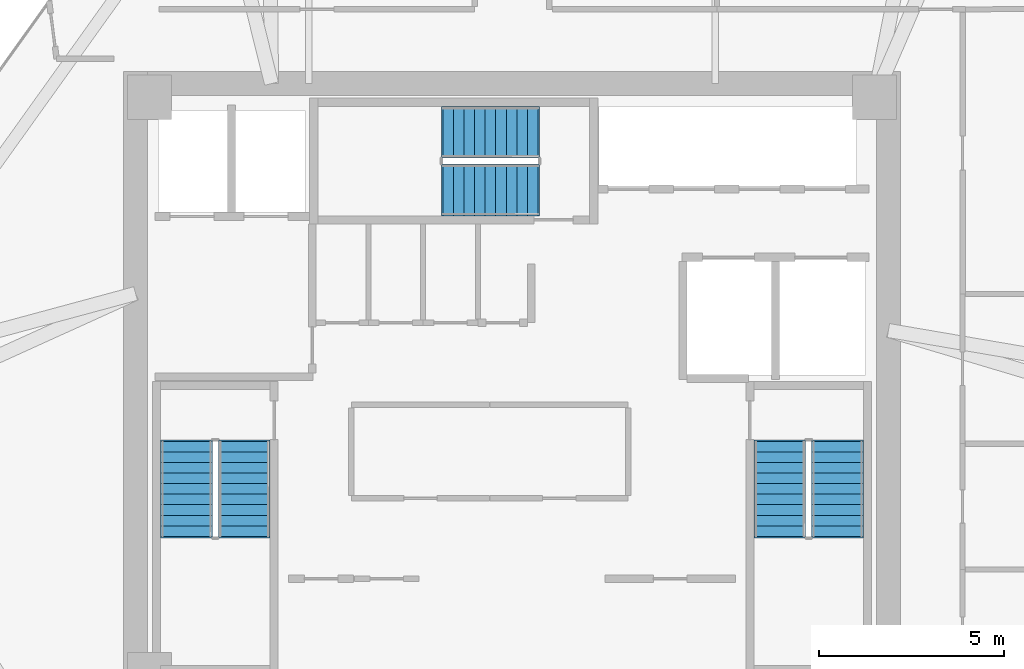
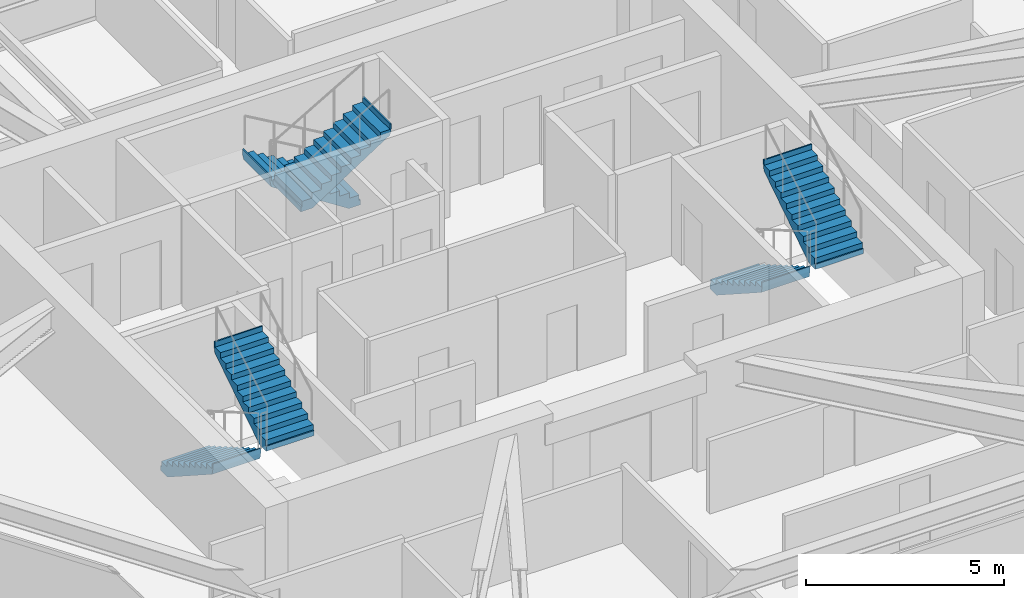
# One storey, part 13 of 14: 6 stair flights, 3 elements without a shape of their own.
"""IFC4 building model written with IfcOpenShell, lengths in metres."""

import ifcopenshell
import ifcopenshell.guid

model = None  # the IFC model being written
_history = None  # IfcOwnerHistory: only IFC2X3 demands one
_inside = {}  # id of a spatial element -> (the spatial element, [elements in it])
_under = {}  # id of a project, library or spatial element -> (it, [spatial elements below it])
_declared = {}  # id of a project -> (the project, [libraries it declares])
_typed = {}  # id of a type object -> (the type object, [elements of that type])
_made_of = {}  # id of a material, layer set ... -> (it, [elements and type objects made of it])


def new_model(schema):
    """Start an empty IFC model of exactly this schema.

    Asked for "IFC4X3", IfcOpenShell would pick the latest addendum, in which some entities
    have other attributes; the version numbers below select the first issue.
    IFC2X3 requires an IfcOwnerHistory on every rooted entity: one is made here for all.
    """
    global model, _history
    if schema == "IFC4X3":
        model = ifcopenshell.file(schema_version=(4, 3, 0, 0))
    else:
        model = ifcopenshell.file(schema=schema)
    _inside.clear()
    _under.clear()
    _declared.clear()
    _typed.clear()
    _made_of.clear()
    _history = None
    if model.schema == "IFC2X3":
        org = make("IfcOrganization", Name="unknown")
        user = make(
            "IfcPersonAndOrganization",
            ThePerson=make("IfcPerson", FamilyName="unknown"),
            TheOrganization=org,
        )
        app = make(
            "IfcApplication",
            ApplicationDeveloper=org,
            Version="unknown",
            ApplicationFullName="unknown",
            ApplicationIdentifier="unknown",
        )
        _history = make(
            "IfcOwnerHistory",
            OwningUser=user,
            OwningApplication=app,
            ChangeAction="ADDED",
            CreationDate=0,
        )
    return model


def make(cls, **values):
    """One entity of the class cls with the attributes given. An attribute that is None is left unset."""
    return model.create_entity(
        cls, **{name: value for name, value in values.items() if value is not None}
    )


def rooted(cls, **values):
    """An entity with a GlobalId (a new one), such as an element, a storey or a relation."""
    return make(cls, GlobalId=ifcopenshell.guid.new(), OwnerHistory=_history, **values)


def si_unit(unit_type, name, prefix=None):
    """IfcSIUnit, for example si_unit("LENGTHUNIT", "METRE", prefix="MILLI")."""
    return make("IfcSIUnit", UnitType=unit_type, Prefix=prefix, Name=name)


def assignment(units):
    """IfcUnitAssignment: the units of a project."""
    return None if units is None else make("IfcUnitAssignment", Units=units)


def point(xyz):
    """IfcCartesianPoint."""
    return None if xyz is None else make("IfcCartesianPoint", Coordinates=xyz)


def direction(xyz):
    """IfcDirection."""
    return None if xyz is None else make("IfcDirection", DirectionRatios=xyz)


def frame(location, z_axis=None, x_axis=None):
    """IfcAxis2Placement3D, a coordinate frame: its origin and axes. An axis left out is left unset."""
    return make(
        "IfcAxis2Placement3D",
        Location=point(location),
        Axis=direction(z_axis),
        RefDirection=direction(x_axis),
    )


def origin():
    """The frame at (0, 0, 0) with its axes left unset."""
    return frame((0.0, 0.0, 0.0))


def place(relative_to, where):
    """IfcLocalPlacement: puts the frame where relative to a parent placement (None: the world)."""
    return make(
        "IfcLocalPlacement", PlacementRelTo=relative_to, RelativePlacement=where
    )


def context(
    kind, dimensions, precision=None, world=None, true_north=None, identifier=None
):
    """IfcGeometricRepresentationContext, for example the 3D "Model" context."""
    return make(
        "IfcGeometricRepresentationContext",
        ContextIdentifier=identifier,
        ContextType=kind,
        CoordinateSpaceDimension=dimensions,
        Precision=precision,
        WorldCoordinateSystem=world,
        TrueNorth=true_north,
    )


def subcontext(parent, identifier, kind, view, scale=None):
    """IfcGeometricRepresentationSubContext, for example "Body" below "Model"."""
    return make(
        "IfcGeometricRepresentationSubContext",
        ContextIdentifier=identifier,
        ContextType=kind,
        ParentContext=parent,
        TargetScale=scale,
        TargetView=view,
    )


def project(units=None, contexts=None):
    """IfcProject with its units and contexts."""
    return rooted(
        "IfcProject",
        Name="project",
        RepresentationContexts=contexts,
        UnitsInContext=assignment(units),
    )


def spatial(cls, under=None, at=None, **own):
    """A site, building, storey or space (cls), placed at a placement, below another one or the project."""
    s = rooted(cls, ObjectPlacement=at, **own)
    if under is not None:
        _under.setdefault(under.id(), (under, []))[1].append(s)
    return s


def polyline(points):
    """IfcPolyline through the points."""
    return make("IfcPolyline", Points=[point(p) for p in points])


def outline(outer, holes=None, kind="AREA"):
    """IfcArbitraryClosedProfileDef: a profile drawn as a closed curve; with holes, ...WithVoids."""
    if holes is None:
        return make("IfcArbitraryClosedProfileDef", ProfileType=kind, OuterCurve=outer)
    return make(
        "IfcArbitraryProfileDefWithVoids",
        ProfileType=kind,
        OuterCurve=outer,
        InnerCurves=holes,
    )


def extrude(swept, where, along, depth):
    """IfcExtrudedAreaSolid: the profile swept, set in the frame where, extruded along a direction by depth."""
    return make(
        "IfcExtrudedAreaSolid",
        SweptArea=swept,
        Position=where,
        ExtrudedDirection=direction(along),
        Depth=depth,
    )


def shape(context_of_items, identifier, shape_type, items):
    """IfcShapeRepresentation: the items that make up one representation, for example the "Body"."""
    return make(
        "IfcShapeRepresentation",
        ContextOfItems=context_of_items,
        RepresentationIdentifier=identifier,
        RepresentationType=shape_type,
        Items=items,
    )


def material(Name=None, Category=None):
    """IfcMaterial."""
    return make("IfcMaterial", Name=Name, Category=Category)


def made_of(thing, what):
    """Note that an element or type object is made of a material, layer set ...; save() writes the relation."""
    if what is not None:
        _made_of.setdefault(what.id(), (what, []))[1].append(thing)
    return thing


def type_object(cls, material=None, **own):
    """A type object (cls), such as IfcWallType, which elements share."""
    return made_of(rooted(cls, **own), material)


def element(
    cls,
    number,
    at=None,
    inside=None,
    cuts=None,
    type_object=None,
    material=None,
    context=None,
    identifier="Body",
    shape_type=None,
    held_by="IfcProductDefinitionShape",
    body=None,
    shapes=None,
    **own,
):
    """One element of the class cls, such as IfcWall. Its Tag is "e" and its number.

    at: its placement. inside: the storey or other place that contains it. cuts: it is an
    opening in that element (IfcRelVoidsElement). A single representation is given by context,
    identifier, shape_type and body (its items); several are given by shapes. held_by: the class
    of the entity that holds the representations. save() writes the other relations.
    """
    e = rooted(cls, Tag="e%d" % number, ObjectPlacement=at, **own)
    if body is not None:
        shapes = [shape(context, identifier, shape_type, body)]
    if shapes is not None:
        e.Representation = make(held_by, Representations=shapes)
    if inside is not None:
        _inside.setdefault(inside.id(), (inside, []))[1].append(e)
    if cuts is not None:
        rooted(
            "IfcRelVoidsElement", RelatingBuildingElement=cuts, RelatedOpeningElement=e
        )
    if type_object is not None:
        _typed.setdefault(type_object.id(), (type_object, []))[1].append(e)
    return made_of(e, material)


def aggregate(whole, parts):
    """IfcRelAggregates: a whole, such as a stair, and the parts it consists of."""
    return rooted("IfcRelAggregates", RelatingObject=whole, RelatedObjects=parts)


def save(model, path):
    """Write the relations noted so far, then the file.

    IfcRelAggregates (storeys below a building ...), IfcRelContainedInSpatialStructure (elements
    in a storey), IfcRelDefinesByType, IfcRelAssociatesMaterial and IfcRelDeclares: one each for
    every whole, place, type object, material and project.
    """
    for whole, parts in _under.values():
        aggregate(whole, parts)
    for where, things in _inside.values():
        rooted(
            "IfcRelContainedInSpatialStructure",
            RelatedElements=things,
            RelatingStructure=where,
        )
    for kind, things in _typed.values():
        rooted("IfcRelDefinesByType", RelatedObjects=things, RelatingType=kind)
    for what, things in _made_of.values():
        rooted("IfcRelAssociatesMaterial", RelatedObjects=things, RelatingMaterial=what)
    for by, libraries in _declared.values():
        rooted("IfcRelDeclares", RelatingContext=by, RelatedDefinitions=libraries)
    model.write(path)


model = new_model("IFC4")

# Units and contexts
model_context = context("Model", 3, precision=1e-05, world=origin(), true_north=direction((0.0, 1.0)))
body_context = subcontext(model_context, "Body", "Model", "MODEL_VIEW")
ifc_project = project(units=[si_unit("LENGTHUNIT", "METRE"), si_unit("AREAUNIT", "SQUARE_METRE"), si_unit("VOLUMEUNIT", "CUBIC_METRE"), si_unit("PLANEANGLEUNIT", "RADIAN"), si_unit("MASSUNIT", "GRAM", prefix="KILO")], contexts=[model_context])

# Site, building, storey
site_placement = place(None, origin())
site = spatial("IfcSite", under=ifc_project, at=site_placement, CompositionType="ELEMENT")
building_placement = place(site_placement, origin())
building = spatial("IfcBuilding", under=site, at=building_placement, Name="Durnholm Broadcast Tower", CompositionType="ELEMENT")
storey_placement = place(building_placement, frame((0.0, 0.0, 193.60009765625)))
storey = spatial("IfcBuildingStorey", under=building, at=storey_placement, Name="L53", CompositionType="ELEMENT", Elevation=193.60009765625)

# Stair, stair flights
ifc_material = material(Name="Concrete C50/60", Category="concrete")
stair_type = type_object("IfcStairType", Name="STAIR-DL-20R1650", PredefinedType="HALF_TURN_STAIR", material=ifc_material)
stair_1_placement = place(storey_placement, origin())
stair_1 = element("IfcStair", 1, at=stair_1_placement, inside=storey, type_object=stair_type, Name="L53 ST-1", PredefinedType="HALF_TURN_STAIR")
stair_flight_type = type_object("IfcStairFlightType", Name="FLIGHT-DL-20R1650", PredefinedType="STRAIGHT", material=ifc_material)
stair_flight_1_placement = place(storey_placement, frame((-8.800048828125, -1.5, 0.0), z_axis=(0.0, 0.0, 1.0), x_axis=(0.0, -1.0, 0.0)))
stair_flight_1 = element("IfcStairFlight", 2, at=stair_flight_1_placement, type_object=stair_flight_type, Name="ST-1 flight 1", NumberOfRisers=10, NumberOfTreads=9, PredefinedType="STRAIGHT", RiserHeight=0.165, TreadLength=0.285, context=body_context, shape_type="SweptSolid", body=[
    extrude(outline(polyline([(-0.0400390625, -0.14990234375), (-0.0400390625, 0.0), (0.0, 0.0), (0.0, 0.1650390625), (0.284912109375, 0.1650390625), (0.284912109375, 0.330078125), (0.570068359375, 0.330078125), (0.570068359375, 0.4951171875), (0.85498046875, 0.4951171875), (0.85498046875, 0.659912109375), (1.139892578125, 0.659912109375), (1.139892578125, 0.824951171875), (1.425048828125, 0.824951171875), (1.425048828125, 0.989990234375), (1.7099609375, 0.989990234375), (1.7099609375, 1.155029296875), (1.9951171875, 1.155029296875), (1.9951171875, 1.320068359375), (2.280029296875, 1.320068359375), (2.280029296875, 1.485107421875), (2.56494140625, 1.485107421875), (2.56494140625, 1.64990234375), (2.60498046875, 1.64990234375), (2.60498046875, 1.5), (2.56494140625, 1.311767578125), (0.299072265625, -0.14990234375), (-0.0400390625, -0.14990234375)])), frame((0.0, 0.699951171875, 0.0), z_axis=(0.0, -1.0, 0.0), x_axis=(1.0, 0.0, 0.0)), (0.0, 0.0, 1.0), 1.39990234375),
])
stair_flight_2_placement = place(storey_placement, frame((-7.239990234375, -4.06494140625, 1.64990234375), z_axis=(0.0, 0.0, 1.0), x_axis=(0.0, 1.0, 0.0)))
stair_flight_2 = element("IfcStairFlight", 3, at=stair_flight_2_placement, type_object=stair_flight_type, Name="ST-1 flight 2", NumberOfRisers=10, NumberOfTreads=9, PredefinedType="STRAIGHT", RiserHeight=0.165, TreadLength=0.285, context=body_context, shape_type="SweptSolid", body=[
    extrude(outline(polyline([(-0.0400390625, -0.14990234375), (-0.0400390625, 0.0), (0.0, 0.0), (0.0, 0.1650390625), (0.284912109375, 0.1650390625), (0.284912109375, 0.330078125), (0.570068359375, 0.330078125), (0.570068359375, 0.4951171875), (0.85498046875, 0.4951171875), (0.85498046875, 0.659912109375), (1.139892578125, 0.659912109375), (1.139892578125, 0.824951171875), (1.425048828125, 0.824951171875), (1.425048828125, 0.989990234375), (1.7099609375, 0.989990234375), (1.7099609375, 1.155029296875), (1.9951171875, 1.155029296875), (1.9951171875, 1.320068359375), (2.280029296875, 1.320068359375), (2.280029296875, 1.485107421875), (2.56494140625, 1.485107421875), (2.56494140625, 1.64990234375), (2.60498046875, 1.64990234375), (2.60498046875, 1.5), (2.56494140625, 1.311767578125), (0.299072265625, -0.14990234375), (-0.0400390625, -0.14990234375)])), frame((0.0, 0.699951171875, 0.0), z_axis=(0.0, -1.0, 0.0), x_axis=(1.0, 0.0, 0.0)), (0.0, 0.0, 1.0), 1.39990234375),
])
aggregate(stair_1, [stair_flight_1, stair_flight_2])

stair_2_placement = place(storey_placement, origin())
stair_2 = element("IfcStair", 4, at=stair_2_placement, inside=storey, type_object=stair_type, Name="L53 ST-2", PredefinedType="HALF_TURN_STAIR")
stair_flight_3_placement = place(storey_placement, frame((7.239990234375, -1.5, 0.0), z_axis=(0.0, 0.0, 1.0), x_axis=(0.0, -1.0, 0.0)))
stair_flight_3 = element("IfcStairFlight", 5, at=stair_flight_3_placement, type_object=stair_flight_type, Name="ST-2 flight 1", NumberOfRisers=10, NumberOfTreads=9, PredefinedType="STRAIGHT", RiserHeight=0.165, TreadLength=0.285, context=body_context, shape_type="SweptSolid", body=[
    extrude(outline(polyline([(-0.0400390625, -0.14990234375), (-0.0400390625, 0.0), (0.0, 0.0), (0.0, 0.1650390625), (0.284912109375, 0.1650390625), (0.284912109375, 0.330078125), (0.570068359375, 0.330078125), (0.570068359375, 0.4951171875), (0.85498046875, 0.4951171875), (0.85498046875, 0.659912109375), (1.139892578125, 0.659912109375), (1.139892578125, 0.824951171875), (1.425048828125, 0.824951171875), (1.425048828125, 0.989990234375), (1.7099609375, 0.989990234375), (1.7099609375, 1.155029296875), (1.9951171875, 1.155029296875), (1.9951171875, 1.320068359375), (2.280029296875, 1.320068359375), (2.280029296875, 1.485107421875), (2.56494140625, 1.485107421875), (2.56494140625, 1.64990234375), (2.60498046875, 1.64990234375), (2.60498046875, 1.5), (2.56494140625, 1.311767578125), (0.299072265625, -0.14990234375), (-0.0400390625, -0.14990234375)])), frame((0.0, 0.699951171875, 0.0), z_axis=(0.0, -1.0, 0.0), x_axis=(1.0, 0.0, 0.0)), (0.0, 0.0, 1.0), 1.39990234375),
])
stair_flight_4_placement = place(storey_placement, frame((8.800048828125, -4.06494140625, 1.64990234375), z_axis=(0.0, 0.0, 1.0), x_axis=(0.0, 1.0, 0.0)))
stair_flight_4 = element("IfcStairFlight", 6, at=stair_flight_4_placement, type_object=stair_flight_type, Name="ST-2 flight 2", NumberOfRisers=10, NumberOfTreads=9, PredefinedType="STRAIGHT", RiserHeight=0.165, TreadLength=0.285, context=body_context, shape_type="SweptSolid", body=[
    extrude(outline(polyline([(-0.0400390625, -0.14990234375), (-0.0400390625, 0.0), (0.0, 0.0), (0.0, 0.1650390625), (0.284912109375, 0.1650390625), (0.284912109375, 0.330078125), (0.570068359375, 0.330078125), (0.570068359375, 0.4951171875), (0.85498046875, 0.4951171875), (0.85498046875, 0.659912109375), (1.139892578125, 0.659912109375), (1.139892578125, 0.824951171875), (1.425048828125, 0.824951171875), (1.425048828125, 0.989990234375), (1.7099609375, 0.989990234375), (1.7099609375, 1.155029296875), (1.9951171875, 1.155029296875), (1.9951171875, 1.320068359375), (2.280029296875, 1.320068359375), (2.280029296875, 1.485107421875), (2.56494140625, 1.485107421875), (2.56494140625, 1.64990234375), (2.60498046875, 1.64990234375), (2.60498046875, 1.5), (2.56494140625, 1.311767578125), (0.299072265625, -0.14990234375), (-0.0400390625, -0.14990234375)])), frame((0.0, 0.699951171875, 0.0), z_axis=(0.0, -1.0, 0.0), x_axis=(1.0, 0.0, 0.0)), (0.0, 0.0, 1.0), 1.39990234375),
])
aggregate(stair_2, [stair_flight_3, stair_flight_4])

stair_3_placement = place(storey_placement, origin())
stair_3 = element("IfcStair", 7, at=stair_3_placement, inside=storey, type_object=stair_type, Name="L53 ST-3", PredefinedType="HALF_TURN_STAIR")
stair_flight_5_placement = place(storey_placement, frame((0.699951171875, 6.860107421875, 0.0), z_axis=(0.0, 0.0, 1.0), x_axis=(-1.0, 0.0, 0.0)))
stair_flight_5 = element("IfcStairFlight", 8, at=stair_flight_5_placement, type_object=stair_flight_type, Name="ST-3 flight 1", NumberOfRisers=10, NumberOfTreads=9, PredefinedType="STRAIGHT", RiserHeight=0.165, TreadLength=0.285, context=body_context, shape_type="SweptSolid", body=[
    extrude(outline(polyline([(-0.0400390625, -0.14990234375), (-0.0400390625, 0.0), (0.0, 0.0), (0.0, 0.1650390625), (0.284912109375, 0.1650390625), (0.284912109375, 0.330078125), (0.570068359375, 0.330078125), (0.570068359375, 0.4951171875), (0.85498046875, 0.4951171875), (0.85498046875, 0.659912109375), (1.139892578125, 0.659912109375), (1.139892578125, 0.824951171875), (1.425048828125, 0.824951171875), (1.425048828125, 0.989990234375), (1.7099609375, 0.989990234375), (1.7099609375, 1.155029296875), (1.9951171875, 1.155029296875), (1.9951171875, 1.320068359375), (2.280029296875, 1.320068359375), (2.280029296875, 1.485107421875), (2.56494140625, 1.485107421875), (2.56494140625, 1.64990234375), (2.60498046875, 1.64990234375), (2.60498046875, 1.5), (2.56494140625, 1.311767578125), (0.299072265625, -0.14990234375), (-0.0400390625, -0.14990234375)])), frame((0.0, 0.699951171875, 0.0), z_axis=(0.0, -1.0, 0.0), x_axis=(1.0, 0.0, 0.0)), (0.0, 0.0, 1.0), 1.39990234375),
])
stair_flight_6_placement = place(storey_placement, frame((-1.864990234375, 5.300048828125, 1.64990234375), z_axis=(0.0, 0.0, 1.0), x_axis=(1.0, 0.0, 0.0)))
stair_flight_6 = element("IfcStairFlight", 9, at=stair_flight_6_placement, type_object=stair_flight_type, Name="ST-3 flight 2", NumberOfRisers=10, NumberOfTreads=9, PredefinedType="STRAIGHT", RiserHeight=0.165, TreadLength=0.285, context=body_context, shape_type="SweptSolid", body=[
    extrude(outline(polyline([(-0.0400390625, -0.14990234375), (-0.0400390625, 0.0), (0.0, 0.0), (0.0, 0.1650390625), (0.284912109375, 0.1650390625), (0.284912109375, 0.330078125), (0.570068359375, 0.330078125), (0.570068359375, 0.4951171875), (0.85498046875, 0.4951171875), (0.85498046875, 0.659912109375), (1.139892578125, 0.659912109375), (1.139892578125, 0.824951171875), (1.425048828125, 0.824951171875), (1.425048828125, 0.989990234375), (1.7099609375, 0.989990234375), (1.7099609375, 1.155029296875), (1.9951171875, 1.155029296875), (1.9951171875, 1.320068359375), (2.280029296875, 1.320068359375), (2.280029296875, 1.485107421875), (2.56494140625, 1.485107421875), (2.56494140625, 1.64990234375), (2.60498046875, 1.64990234375), (2.60498046875, 1.5), (2.56494140625, 1.311767578125), (0.299072265625, -0.14990234375), (-0.0400390625, -0.14990234375)])), frame((0.0, 0.699951171875, 0.0), z_axis=(0.0, -1.0, 0.0), x_axis=(1.0, 0.0, 0.0)), (0.0, 0.0, 1.0), 1.39990234375),
])
aggregate(stair_3, [stair_flight_5, stair_flight_6])

save(model, "model.ifc")
